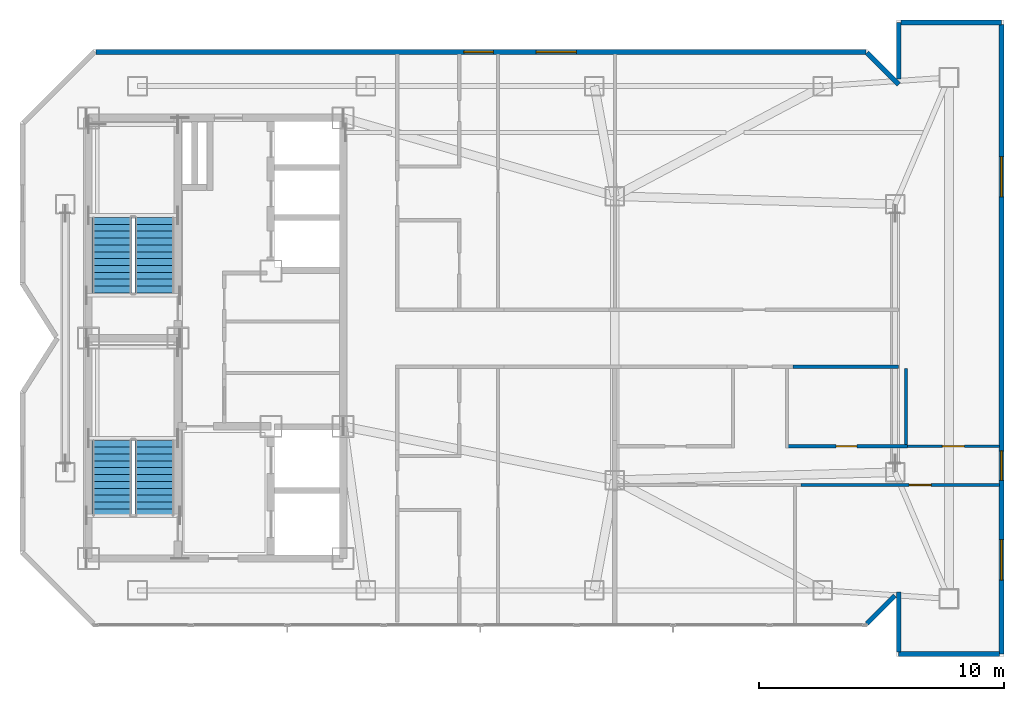
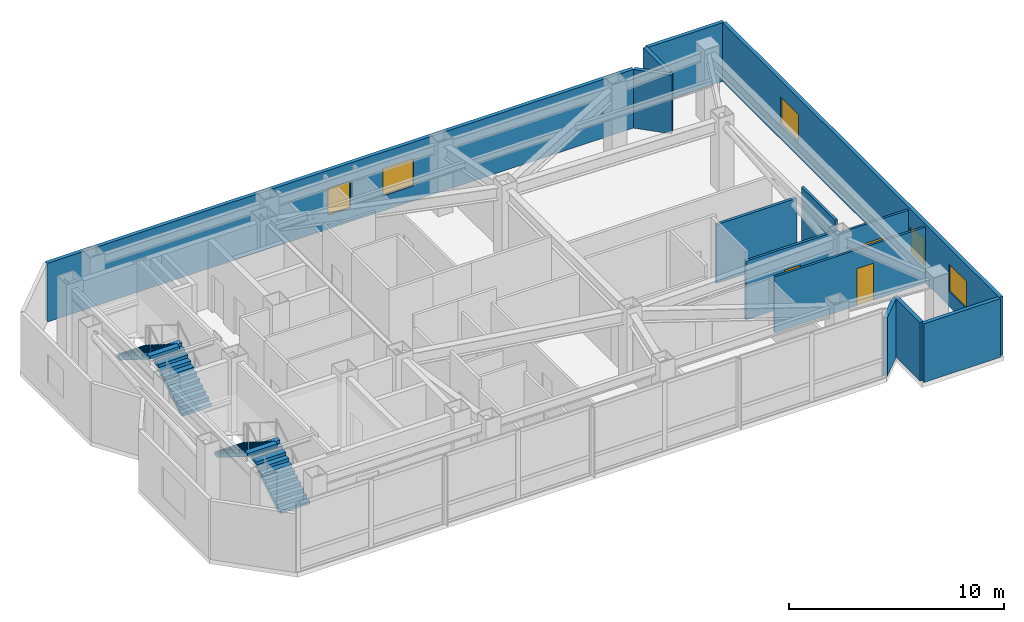
# One storey, part 11 of 12: 13 walls, 5 windows, 4 stair flights, 3 doors, 8 openings, 2 elements without a shape of their own.
"""IFC4 building model written with IfcOpenShell, lengths in metres."""

from ifc_helpers import new_model, si_unit, direction, frame, frame_2d, origin, place, context, subcontext, project, spatial, polyline, rectangle, outline, extrude, material, layer, layer_set, type_object, element, fill, aggregate, save


model = new_model("IFC4")

# Units and contexts
model_context = context("Model", 3, precision=1e-05, world=origin(), true_north=direction((0.0, 1.0)))
body_context = subcontext(model_context, "Body", "Model", "MODEL_VIEW")
ifc_project = project(units=[si_unit("LENGTHUNIT", "METRE"), si_unit("AREAUNIT", "SQUARE_METRE"), si_unit("VOLUMEUNIT", "CUBIC_METRE"), si_unit("PLANEANGLEUNIT", "RADIAN"), si_unit("MASSUNIT", "GRAM", prefix="KILO")], contexts=[model_context])

# Site, building, storey
site_placement = place(None, origin())
site = spatial("IfcSite", under=ifc_project, at=site_placement, CompositionType="ELEMENT")
building_placement = place(site_placement, origin())
building = spatial("IfcBuilding", under=site, at=building_placement, Name="Khamvora Tower", CompositionType="ELEMENT")
storey_placement = place(building_placement, frame((0.0, 0.0, 298.85009765625)))
storey = spatial("IfcBuildingStorey", under=building, at=storey_placement, Name="L76", CompositionType="ELEMENT", Elevation=298.85009765625)

# Wall
ifc_material_1 = material(Name="Fire-Rated Drywall and Steel Stud", Category="steel")
ifc_layer_1 = layer(ifc_material_1, 0.14990234375)
ifc_layer_set_1 = layer_set([ifc_layer_1], Name="Fire-Rated Drywall and Steel Stud")
wall_type_1 = type_object("IfcWallType", Name="WAL-CORR-150", PredefinedType="STANDARD", material=ifc_layer_set_1)
wall_1_placement = place(storey_placement, frame((62.090087890625, 26.8349609375, 0.0), z_axis=(0.0, 0.0, 1.0), x_axis=(-1.0, 0.0, 0.0)))
element("IfcWall", 1, at=wall_1_placement, inside=storey, type_object=wall_type_1, Name="L76 interior partition wall 016", PredefinedType="STANDARD", context=body_context, shape_type="SweptSolid", body=[
    extrude(rectangle(XDim=4.31005859375, YDim=0.14990234375, at=frame_2d((2.155029296875, 0.0))), origin(), (0.0, 0.0, 1.0), 3.3369140625),
])

# Wall, openings, windows
ifc_material_2 = material(Name="Precast concrete C40/50", Category="concrete")
ifc_layer_2 = layer(ifc_material_2, 0.199951171875)
ifc_layer_set_2 = layer_set([ifc_layer_2], Name="Precast concrete C40/50")
wall_type_2 = type_object("IfcWallType", Name="WAL-EXT-200", PredefinedType="STANDARD", material=ifc_layer_set_2)
wall_2_placement = place(storey_placement, frame((29.302001953125, 39.699951171875, 0.0), z_axis=(0.0, 0.0, 1.0), x_axis=(1.0, 0.0, 0.0)))
wall_2 = element("IfcWall", 2, at=wall_2_placement, inside=storey, type_object=wall_type_2, Name="L76 exterior facade wall 08.1", PredefinedType="STANDARD", context=body_context, shape_type="SweptSolid", body=[
    extrude(rectangle(XDim=31.45703125, YDim=0.199951171875, at=frame_2d((15.728515625, 0.0))), origin(), (0.0, 0.0, 1.0), 3.329833984375),
])
opening_1_placement = place(wall_2_placement, frame((15.032958984375, 0.0, 0.800048828125)))
opening_1 = element("IfcOpeningElement", 3, at=opening_1_placement, cuts=wall_2, Name="Opening WN-03", PredefinedType="OPENING", context=body_context, shape_type="SweptSolid", body=[
    extrude(rectangle(XDim=1.199951171875, YDim=1.5, at=frame_2d((0.60009765625, 0.75))), frame((0.0, 0.10986328125, 0.0), z_axis=(0.0, -1.0, 0.0), x_axis=(1.0, 0.0, 0.0)), (0.0, 0.0, 1.0), 0.219970703125),
])
opening_2_placement = place(wall_2_placement, frame((17.98291015625, 0.0, 0.85009765625)))
opening_2 = element("IfcOpeningElement", 4, at=opening_2_placement, cuts=wall_2, Name="Opening WN-06", PredefinedType="OPENING", context=body_context, shape_type="SweptSolid", body=[
    extrude(rectangle(XDim=1.64990234375, YDim=1.550048828125, at=frame_2d((0.824951171875, 0.77490234375))), frame((0.0, 0.10986328125, 0.0), z_axis=(0.0, -1.0, 0.0), x_axis=(1.0, 0.0, 0.0)), (0.0, 0.0, 1.0), 0.219970703125),
])
ifc_material_3 = material(Name="Low-E Laminated Double Glazing", Category="glass")
window_type_1 = type_object("IfcWindowType", Name="WIN-VIS-1200x1500", PartitioningType="SINGLE_PANEL", PredefinedType="WINDOW", material=ifc_material_3)
window_1_placement = place(opening_1_placement, origin())
window_1 = element("IfcWindow", 5, at=window_1_placement, inside=storey, type_object=window_type_1, Name="L76 vision window 08.1.01", OverallHeight=1.5, OverallWidth=1.199951171875, PartitioningType="SINGLE_PANEL", PredefinedType="WINDOW", context=body_context, shape_type="SweptSolid", body=[
    extrude(rectangle(XDim=1.199951171875, YDim=1.5, at=frame_2d((0.60009765625, 0.75))), frame((0.0, 0.030029296875, 0.0), z_axis=(0.0, -1.0, 0.0), x_axis=(1.0, 0.0, 0.0)), (0.0, 0.0, 1.0), 0.06005859375),
])
fill(opening_1, window_1)
window_type_2 = type_object("IfcWindowType", Name="WIN-VIS-1650x1550", PartitioningType="SINGLE_PANEL", PredefinedType="WINDOW", material=ifc_material_3)
window_2_placement = place(opening_2_placement, origin())
window_2 = element("IfcWindow", 6, at=window_2_placement, inside=storey, type_object=window_type_2, Name="L76 vision window 08.1.02", OverallHeight=1.550048828125, OverallWidth=1.64990234375, PartitioningType="SINGLE_PANEL", PredefinedType="WINDOW", context=body_context, shape_type="SweptSolid", body=[
    extrude(rectangle(XDim=1.64990234375, YDim=1.550048828125, at=frame_2d((0.824951171875, 0.77490234375))), frame((0.0, 0.030029296875, 0.0), z_axis=(0.0, -1.0, 0.0), x_axis=(1.0, 0.0, 0.0)), (0.0, 0.0, 1.0), 0.06005859375),
])
fill(opening_2, window_2)

# Walls
wall_3_placement = place(storey_placement, frame((60.802978515625, 39.656005859375, 0.0), z_axis=(0.0, 0.0, 1.0), x_axis=(0.707106781187, -0.707106781187, 0.0)))
element("IfcWall", 7, at=wall_3_placement, inside=storey, type_object=wall_type_2, Name="L76 exterior facade wall 09.1", PredefinedType="STANDARD", context=body_context, shape_type="SweptSolid", body=[
    extrude(rectangle(XDim=1.83447265625, YDim=0.199951171875, at=frame_2d((0.917236328125, 0.0))), origin(), (0.0, 0.0, 1.0), 3.329833984375),
])
wall_4_placement = place(storey_placement, frame((62.10009765625, 38.590087890625, 0.0), z_axis=(0.0, 0.0, 1.0), x_axis=(0.0, 1.0, 0.0)))
element("IfcWall", 8, at=wall_4_placement, inside=storey, type_object=wall_type_2, Name="L76 exterior facade wall 10.1", PredefinedType="STANDARD", context=body_context, shape_type="SweptSolid", body=[
    extrude(rectangle(XDim=2.309814453125, YDim=0.199951171875, at=frame_2d((1.15478515625, 0.0))), origin(), (0.0, 0.0, 1.0), 3.329833984375),
])
wall_5_placement = place(storey_placement, frame((62.18994140625, 40.89990234375, 0.0), z_axis=(0.0, 0.0, 1.0), x_axis=(1.0, 0.0, 0.0)))
element("IfcWall", 9, at=wall_5_placement, inside=storey, type_object=wall_type_2, Name="L76 exterior facade wall 11.1", PredefinedType="STANDARD", context=body_context, shape_type="SweptSolid", body=[
    extrude(rectangle(XDim=4.110107421875, YDim=0.199951171875, at=frame_2d((2.05517578125, 0.0))), origin(), (0.0, 0.0, 1.0), 3.329833984375),
])

# Wall, openings, windows
wall_6_placement = place(storey_placement, frame((66.300048828125, 40.81005859375, 0.0), z_axis=(0.0, 0.0, 1.0), x_axis=(0.0, -1.0, 0.0)))
wall_6 = element("IfcWall", 10, at=wall_6_placement, inside=storey, type_object=wall_type_2, Name="L76 exterior facade wall 12.1", PredefinedType="STANDARD", context=body_context, shape_type="SweptSolid", body=[
    extrude(rectangle(XDim=25.7099609375, YDim=0.199951171875, at=frame_2d((12.85498046875, 0.0))), origin(), (0.0, 0.0, 1.0), 3.329833984375),
])
opening_3_placement = place(wall_6_placement, frame((5.389892578125, 0.0, 0.85009765625)))
opening_3 = element("IfcOpeningElement", 11, at=opening_3_placement, cuts=wall_6, Name="Opening WN-06", PredefinedType="OPENING", context=body_context, shape_type="SweptSolid", body=[
    extrude(rectangle(XDim=1.64990234375, YDim=1.550048828125, at=frame_2d((0.824951171875, 0.77490234375))), frame((0.0, 0.10986328125, 0.0), z_axis=(0.0, -1.0, 0.0), x_axis=(1.0, 0.0, 0.0)), (0.0, 0.0, 1.0), 0.219970703125),
])
opening_4_placement = place(wall_6_placement, frame((17.4140625, 0.0, 0.800048828125)))
opening_4 = element("IfcOpeningElement", 12, at=opening_4_placement, cuts=wall_6, Name="Opening WN-03", PredefinedType="OPENING", context=body_context, shape_type="SweptSolid", body=[
    extrude(rectangle(XDim=1.199951171875, YDim=1.5, at=frame_2d((0.60009765625, 0.75))), frame((0.0, 0.10986328125, 0.0), z_axis=(0.0, -1.0, 0.0), x_axis=(1.0, 0.0, 0.0)), (0.0, 0.0, 1.0), 0.219970703125),
])
opening_5_placement = place(wall_6_placement, frame((21.0400390625, 0.0, 0.85009765625)))
opening_5 = element("IfcOpeningElement", 13, at=opening_5_placement, cuts=wall_6, Name="Opening WN-06", PredefinedType="OPENING", context=body_context, shape_type="SweptSolid", body=[
    extrude(rectangle(XDim=1.64990234375, YDim=1.550048828125, at=frame_2d((0.824951171875, 0.77490234375))), frame((0.0, 0.10986328125, 0.0), z_axis=(0.0, -1.0, 0.0), x_axis=(1.0, 0.0, 0.0)), (0.0, 0.0, 1.0), 0.219970703125),
])
window_3_placement = place(opening_4_placement, origin())
window_3 = element("IfcWindow", 14, at=window_3_placement, inside=storey, type_object=window_type_1, Name="L76 vision window 12.1.02", OverallHeight=1.5, OverallWidth=1.199951171875, PartitioningType="SINGLE_PANEL", PredefinedType="WINDOW", context=body_context, shape_type="SweptSolid", body=[
    extrude(rectangle(XDim=1.199951171875, YDim=1.5, at=frame_2d((0.60009765625, 0.75))), frame((0.0, 0.030029296875, 0.0), z_axis=(0.0, -1.0, 0.0), x_axis=(1.0, 0.0, 0.0)), (0.0, 0.0, 1.0), 0.06005859375),
])
fill(opening_4, window_3)
window_4_placement = place(opening_3_placement, origin())
window_4 = element("IfcWindow", 15, at=window_4_placement, inside=storey, type_object=window_type_2, Name="L76 vision window 12.1.01", OverallHeight=1.550048828125, OverallWidth=1.64990234375, PartitioningType="SINGLE_PANEL", PredefinedType="WINDOW", context=body_context, shape_type="SweptSolid", body=[
    extrude(rectangle(XDim=1.64990234375, YDim=1.550048828125, at=frame_2d((0.824951171875, 0.77490234375))), frame((0.0, 0.030029296875, 0.0), z_axis=(0.0, -1.0, 0.0), x_axis=(1.0, 0.0, 0.0)), (0.0, 0.0, 1.0), 0.06005859375),
])
fill(opening_3, window_4)
window_5_placement = place(opening_5_placement, origin())
window_5 = element("IfcWindow", 16, at=window_5_placement, inside=storey, type_object=window_type_2, Name="L76 vision window 12.1.03", OverallHeight=1.550048828125, OverallWidth=1.64990234375, PartitioningType="SINGLE_PANEL", PredefinedType="WINDOW", context=body_context, shape_type="SweptSolid", body=[
    extrude(rectangle(XDim=1.64990234375, YDim=1.550048828125, at=frame_2d((0.824951171875, 0.77490234375))), frame((0.0, 0.030029296875, 0.0), z_axis=(0.0, -1.0, 0.0), x_axis=(1.0, 0.0, 0.0)), (0.0, 0.0, 1.0), 0.06005859375),
])
fill(opening_5, window_5)

# Walls
wall_7_placement = place(storey_placement, frame((66.2099609375, 15.10009765625, 0.0), z_axis=(0.0, 0.0, 1.0), x_axis=(-1.0, 0.0, 0.0)))
element("IfcWall", 17, at=wall_7_placement, inside=storey, type_object=wall_type_2, Name="L76 exterior facade wall 13.1", PredefinedType="STANDARD", context=body_context, shape_type="SweptSolid", body=[
    extrude(rectangle(XDim=4.10986328125, YDim=0.199951171875, at=frame_2d((2.054931640625, 0.0))), origin(), (0.0, 0.0, 1.0), 3.329833984375),
])
wall_8_placement = place(storey_placement, frame((62.10009765625, 15.18994140625, 0.0), z_axis=(0.0, 0.0, 1.0), x_axis=(0.0, 1.0, 0.0)))
element("IfcWall", 18, at=wall_8_placement, inside=storey, type_object=wall_type_2, Name="L76 exterior facade wall 14.1", PredefinedType="STANDARD", context=body_context, shape_type="SweptSolid", body=[
    extrude(rectangle(XDim=2.451171875, YDim=0.199951171875, at=frame_2d((1.2255859375, 0.0))), origin(), (0.0, 0.0, 1.0), 3.329833984375),
])
wall_9_placement = place(storey_placement, frame((61.93896484375, 17.47998046875, 0.0), z_axis=(0.0, 0.0, 1.0), x_axis=(-0.707106781187, -0.707106781187, 0.0)))
element("IfcWall", 19, at=wall_9_placement, inside=storey, type_object=wall_type_2, Name="L76 exterior facade wall 15.1", PredefinedType="STANDARD", context=body_context, shape_type="SweptSolid", body=[
    extrude(rectangle(XDim=1.6064453125, YDim=0.199951171875, at=frame_2d((0.80322265625, 0.0))), origin(), (0.0, 0.0, 1.0), 3.329833984375),
])

# Wall, opening, door
ifc_material_4 = material(Name="Gypsum Plasterboard Partition", Category="gypsum")
ifc_layer_3 = layer(ifc_material_4, 0.1201171875)
ifc_layer_set_3 = layer_set([ifc_layer_3], Name="Gypsum Plasterboard Partition")
wall_type_3 = type_object("IfcWallType", Name="WAL-PART-120", PredefinedType="PARTITIONING", material=ifc_layer_set_3)
wall_10_placement = place(storey_placement, frame((66.2080078125, 23.5859375, 0.0), z_axis=(0.0, 0.0, 1.0), x_axis=(-1.0, 0.0, 0.0)))
wall_10 = element("IfcWall", 20, at=wall_10_placement, inside=storey, type_object=wall_type_3, Name="L76 interior partition wall 032", PredefinedType="PARTITIONING", context=body_context, shape_type="SweptSolid", body=[
    extrude(rectangle(XDim=3.7470703125, YDim=0.1201171875, at=frame_2d((1.87353515625, 0.0))), origin(), (0.0, 0.0, 1.0), 3.1748046875),
])
opening_6_placement = place(wall_10_placement, frame((1.423095703125, 0.0, 0.0)))
opening_6 = element("IfcOpeningElement", 21, at=opening_6_placement, cuts=wall_10, Name="Opening D-RM1", PredefinedType="OPENING", context=body_context, shape_type="SweptSolid", body=[
    extrude(rectangle(XDim=0.89990234375, YDim=2.10009765625, at=frame_2d((0.449951171875, 1.050048828125))), frame((0.0, 0.070068359375, 0.0), z_axis=(0.0, -1.0, 0.0), x_axis=(1.0, 0.0, 0.0)), (0.0, 0.0, 1.0), 0.14013671875),
])
ifc_material_5 = material(Name="Powder-Coated Steel and Hardwood Leaf", Category="steel")
door_type_1 = type_object("IfcDoorType", Name="DOR-ROOM-900", OperationType="NOTDEFINED", PredefinedType="DOOR", material=ifc_material_5)
door_1_placement = place(opening_6_placement, origin())
door_1 = element("IfcDoor", 22, at=door_1_placement, inside=storey, type_object=door_type_1, Name="L76 interior door 76DW2-76DH", OperationType="SINGLE_SWING_RIGHT", OverallHeight=2.10009765625, OverallWidth=0.89990234375, PredefinedType="DOOR", context=body_context, shape_type="SweptSolid", body=[
    extrude(rectangle(XDim=0.89990234375, YDim=2.10009765625, at=frame_2d((0.449951171875, 1.050048828125))), frame((0.0, 0.02490234375, 0.0), z_axis=(0.0, -1.0, 0.0), x_axis=(1.0, 0.0, 0.0)), (0.0, 0.0, 1.0), 0.050048828125),
])
fill(opening_6, door_1)

wall_11_placement = place(storey_placement, frame((66.2080078125, 22.006103515625, 0.0), z_axis=(0.0, 0.0, 1.0), x_axis=(-1.0, 0.0, 0.0)))
wall_11 = element("IfcWall", 23, at=wall_11_placement, inside=storey, type_object=wall_type_3, Name="L76 interior partition wall 039", PredefinedType="PARTITIONING", context=body_context, shape_type="SweptSolid", body=[
    extrude(rectangle(XDim=8.10302734375, YDim=0.1201171875, at=frame_2d((4.051513671875, 0.0))), origin(), (0.0, 0.0, 1.0), 3.1748046875),
])
opening_7_placement = place(wall_11_placement, frame((2.787109375, 0.0, 0.0)))
opening_7 = element("IfcOpeningElement", 24, at=opening_7_placement, cuts=wall_11, Name="Opening D-RM1", PredefinedType="OPENING", context=body_context, shape_type="SweptSolid", body=[
    extrude(rectangle(XDim=0.89990234375, YDim=2.10009765625, at=frame_2d((0.449951171875, 1.050048828125))), frame((0.0, 0.070068359375, 0.0), z_axis=(0.0, -1.0, 0.0), x_axis=(1.0, 0.0, 0.0)), (0.0, 0.0, 1.0), 0.14013671875),
])
door_2_placement = place(opening_7_placement, origin())
door_2 = element("IfcDoor", 25, at=door_2_placement, inside=storey, type_object=door_type_1, Name="L76 interior door 76DH-76DR2", OperationType="SINGLE_SWING_LEFT", OverallHeight=2.10009765625, OverallWidth=0.89990234375, PredefinedType="DOOR", context=body_context, shape_type="SweptSolid", body=[
    extrude(rectangle(XDim=0.89990234375, YDim=2.10009765625, at=frame_2d((0.449951171875, 1.050048828125))), frame((0.0, 0.02490234375, 0.0), z_axis=(0.0, -1.0, 0.0), x_axis=(1.0, 0.0, 0.0)), (0.0, 0.0, 1.0), 0.050048828125),
])
fill(opening_7, door_2)

# Wall
ifc_material_6 = material(Name="Moisture-Resistant Plasterboard Partition", Category="gypsum")
ifc_layer_4 = layer(ifc_material_6, 0.135009765625)
ifc_layer_set_4 = layer_set([ifc_layer_4], Name="Moisture-Resistant Plasterboard Partition")
wall_type_4 = type_object("IfcWallType", Name="WAL-WET-135", PredefinedType="PARTITIONING", material=ifc_layer_set_4)
wall_12_placement = place(storey_placement, frame((62.39599609375, 23.65087890625, 0.0), z_axis=(0.0, 0.0, 1.0), x_axis=(0.0, 1.0, 0.0)))
element("IfcWall", 26, at=wall_12_placement, inside=storey, type_object=wall_type_4, Name="L76 interior partition wall 033", PredefinedType="PARTITIONING", context=body_context, shape_type="SweptSolid", body=[
    extrude(rectangle(XDim=3.119140625, YDim=0.135009765625, at=frame_2d((1.5595703125, 0.0))), origin(), (0.0, 0.0, 1.0), 3.8798828125),
])

# Wall, opening, door
wall_13_placement = place(storey_placement, frame((57.466064453125, 23.5859375, 0.0), z_axis=(0.0, 0.0, 1.0), x_axis=(1.0, 0.0, 0.0)))
wall_13 = element("IfcWall", 27, at=wall_13_placement, inside=storey, type_object=wall_type_4, Name="L76 interior partition wall 037", PredefinedType="PARTITIONING", context=body_context, shape_type="SweptSolid", body=[
    extrude(rectangle(XDim=4.994873046875, YDim=0.135009765625, at=frame_2d((2.49755859375, 0.0))), origin(), (0.0, 0.0, 1.0), 3.3369140625),
])
opening_8_placement = place(wall_13_placement, frame((2.072998046875, 0.0, 0.0)))
opening_8 = element("IfcOpeningElement", 28, at=opening_8_placement, cuts=wall_13, Name="Opening D-RM2", PredefinedType="OPENING", context=body_context, shape_type="SweptSolid", body=[
    extrude(rectangle(XDim=0.85009765625, YDim=2.10009765625, at=frame_2d((0.425048828125, 1.050048828125))), frame((0.0, 0.077392578125, 0.0), z_axis=(0.0, -1.0, 0.0), x_axis=(1.0, 0.0, 0.0)), (0.0, 0.0, 1.0), 0.155029296875),
])
door_type_2 = type_object("IfcDoorType", Name="DOR-ROOM-850", OperationType="NOTDEFINED", PredefinedType="DOOR", material=ifc_material_5)
door_3_placement = place(opening_8_placement, origin())
door_3 = element("IfcDoor", 29, at=door_3_placement, inside=storey, type_object=door_type_2, Name="L76 interior door 76DH-76DK", OperationType="SINGLE_SWING_RIGHT", OverallHeight=2.10009765625, OverallWidth=0.85009765625, PredefinedType="DOOR", context=body_context, shape_type="SweptSolid", body=[
    extrude(rectangle(XDim=0.85009765625, YDim=2.10009765625, at=frame_2d((0.425048828125, 1.050048828125))), frame((0.0, 0.02490234375, 0.0), z_axis=(0.0, -1.0, 0.0), x_axis=(1.0, 0.0, 0.0)), (0.0, 0.0, 1.0), 0.050048828125),
])
fill(opening_8, door_3)

# Stair, stair flights
ifc_material_7 = material(Name="Concrete C40/50", Category="concrete")
stair_type_1 = type_object("IfcStairType", Name="STR-ST-01", PredefinedType="HALF_TURN_STAIR", material=ifc_material_7)
stair_1_placement = place(storey_placement, origin())
stair_1 = element("IfcStair", 30, at=stair_1_placement, inside=storey, type_object=stair_type_1, Name="L76 South Tower Exit Stair ST-01", PredefinedType="HALF_TURN_STAIR")
stair_flight_type_1 = type_object("IfcStairFlightType", Name="STF-ST-01", PredefinedType="STRAIGHT", material=ifc_material_7)
stair_flight_1_placement = place(storey_placement, frame((31.699951171875, 20.75, 0.0), z_axis=(0.0, 0.0, 1.0), x_axis=(0.0, 1.0, 0.0)))
stair_flight_1 = element("IfcStairFlight", 31, at=stair_flight_1_placement, type_object=stair_flight_type_1, Name="ST-01 flight 1", NumberOfRisers=12, NumberOfTreads=11, PredefinedType="STRAIGHT", RiserHeight=0.175, TreadLength=0.28, context=body_context, shape_type="SweptSolid", body=[
    extrude(outline(polyline([(0.0, 0.0), (0.0, 0.175048828125), (0.280029296875, 0.175048828125), (0.280029296875, 0.35009765625), (0.56005859375, 0.35009765625), (0.56005859375, 0.52490234375), (0.840087890625, 0.52490234375), (0.840087890625, 0.699951171875), (1.1201171875, 0.699951171875), (1.1201171875, 0.875), (1.39990234375, 0.875), (1.39990234375, 1.050048828125), (1.679931640625, 1.050048828125), (1.679931640625, 1.22509765625), (1.9599609375, 1.22509765625), (1.9599609375, 1.39990234375), (2.239990234375, 1.39990234375), (2.239990234375, 1.574951171875), (2.52001953125, 1.574951171875), (2.52001953125, 1.75), (2.800048828125, 1.75), (2.800048828125, 1.925048828125), (3.080078125, 1.925048828125), (3.080078125, 2.10009765625), (3.080078125, 1.748291015625), (0.28271484375, 0.0), (0.0, 0.0)])), frame((0.0, 0.800048828125, 0.0), z_axis=(0.0, -1.0, 0.0), x_axis=(1.0, 0.0, 0.0)), (0.0, 0.0, 1.0), 1.60009765625),
])
stair_flight_2_placement = place(storey_placement, frame((29.949951171875, 23.830078125, 2.099853515625), z_axis=(0.0, 0.0, 1.0), x_axis=(0.0, -1.0, 0.0)))
stair_flight_2 = element("IfcStairFlight", 32, at=stair_flight_2_placement, type_object=stair_flight_type_1, Name="ST-01 flight 2", NumberOfRisers=12, NumberOfTreads=11, PredefinedType="STRAIGHT", RiserHeight=0.175, TreadLength=0.28, context=body_context, shape_type="SweptSolid", body=[
    extrude(outline(polyline([(0.0, 0.0), (0.0, 0.175048828125), (0.280029296875, 0.175048828125), (0.280029296875, 0.35009765625), (0.56005859375, 0.35009765625), (0.56005859375, 0.52490234375), (0.840087890625, 0.52490234375), (0.840087890625, 0.699951171875), (1.1201171875, 0.699951171875), (1.1201171875, 0.875), (1.39990234375, 0.875), (1.39990234375, 1.050048828125), (1.679931640625, 1.050048828125), (1.679931640625, 1.22509765625), (1.9599609375, 1.22509765625), (1.9599609375, 1.39990234375), (2.239990234375, 1.39990234375), (2.239990234375, 1.574951171875), (2.52001953125, 1.574951171875), (2.52001953125, 1.75), (2.800048828125, 1.75), (2.800048828125, 1.925048828125), (3.080078125, 1.925048828125), (3.080078125, 2.10009765625), (3.080078125, 1.748291015625), (0.28271484375, 0.0), (0.0, 0.0)])), frame((0.0, 0.800048828125, 0.0), z_axis=(0.0, -1.0, 0.0), x_axis=(1.0, 0.0, 0.0)), (0.0, 0.0, 1.0), 1.60009765625),
])
aggregate(stair_1, [stair_flight_1, stair_flight_2])

stair_type_2 = type_object("IfcStairType", Name="STR-ST-02", PredefinedType="HALF_TURN_STAIR", material=ifc_material_7)
stair_2_placement = place(storey_placement, origin())
stair_2 = element("IfcStair", 33, at=stair_2_placement, inside=storey, type_object=stair_type_2, Name="L76 North Tower Exit Stair ST-02", PredefinedType="HALF_TURN_STAIR")
stair_flight_type_2 = type_object("IfcStairFlightType", Name="STF-ST-02", PredefinedType="STRAIGHT", material=ifc_material_7)
stair_flight_3_placement = place(storey_placement, frame((31.699951171875, 29.85009765625, 0.0), z_axis=(0.0, 0.0, 1.0), x_axis=(0.0, 1.0, 0.0)))
stair_flight_3 = element("IfcStairFlight", 34, at=stair_flight_3_placement, type_object=stair_flight_type_2, Name="ST-02 flight 1", NumberOfRisers=12, NumberOfTreads=11, PredefinedType="STRAIGHT", RiserHeight=0.175, TreadLength=0.28, context=body_context, shape_type="SweptSolid", body=[
    extrude(outline(polyline([(0.0, 0.0), (0.0, 0.175048828125), (0.280029296875, 0.175048828125), (0.280029296875, 0.35009765625), (0.56005859375, 0.35009765625), (0.56005859375, 0.52490234375), (0.840087890625, 0.52490234375), (0.840087890625, 0.699951171875), (1.1201171875, 0.699951171875), (1.1201171875, 0.875), (1.39990234375, 0.875), (1.39990234375, 1.050048828125), (1.679931640625, 1.050048828125), (1.679931640625, 1.22509765625), (1.9599609375, 1.22509765625), (1.9599609375, 1.39990234375), (2.239990234375, 1.39990234375), (2.239990234375, 1.574951171875), (2.52001953125, 1.574951171875), (2.52001953125, 1.75), (2.800048828125, 1.75), (2.800048828125, 1.925048828125), (3.080078125, 1.925048828125), (3.080078125, 2.10009765625), (3.080078125, 1.748291015625), (0.28271484375, 0.0), (0.0, 0.0)])), frame((0.0, 0.800048828125, 0.0), z_axis=(0.0, -1.0, 0.0), x_axis=(1.0, 0.0, 0.0)), (0.0, 0.0, 1.0), 1.60009765625),
])
stair_flight_4_placement = place(storey_placement, frame((29.949951171875, 32.929931640625, 2.099853515625), z_axis=(0.0, 0.0, 1.0), x_axis=(0.0, -1.0, 0.0)))
stair_flight_4 = element("IfcStairFlight", 35, at=stair_flight_4_placement, type_object=stair_flight_type_2, Name="ST-02 flight 2", NumberOfRisers=12, NumberOfTreads=11, PredefinedType="STRAIGHT", RiserHeight=0.175, TreadLength=0.28, context=body_context, shape_type="SweptSolid", body=[
    extrude(outline(polyline([(0.0, 0.0), (0.0, 0.175048828125), (0.280029296875, 0.175048828125), (0.280029296875, 0.35009765625), (0.56005859375, 0.35009765625), (0.56005859375, 0.52490234375), (0.840087890625, 0.52490234375), (0.840087890625, 0.699951171875), (1.1201171875, 0.699951171875), (1.1201171875, 0.875), (1.39990234375, 0.875), (1.39990234375, 1.050048828125), (1.679931640625, 1.050048828125), (1.679931640625, 1.22509765625), (1.9599609375, 1.22509765625), (1.9599609375, 1.39990234375), (2.239990234375, 1.39990234375), (2.239990234375, 1.574951171875), (2.52001953125, 1.574951171875), (2.52001953125, 1.75), (2.800048828125, 1.75), (2.800048828125, 1.925048828125), (3.080078125, 1.925048828125), (3.080078125, 2.10009765625), (3.080078125, 1.748291015625), (0.28271484375, 0.0), (0.0, 0.0)])), frame((0.0, 0.800048828125, 0.0), z_axis=(0.0, -1.0, 0.0), x_axis=(1.0, 0.0, 0.0)), (0.0, 0.0, 1.0), 1.60009765625),
])
aggregate(stair_2, [stair_flight_3, stair_flight_4])

save(model, "model.ifc")
